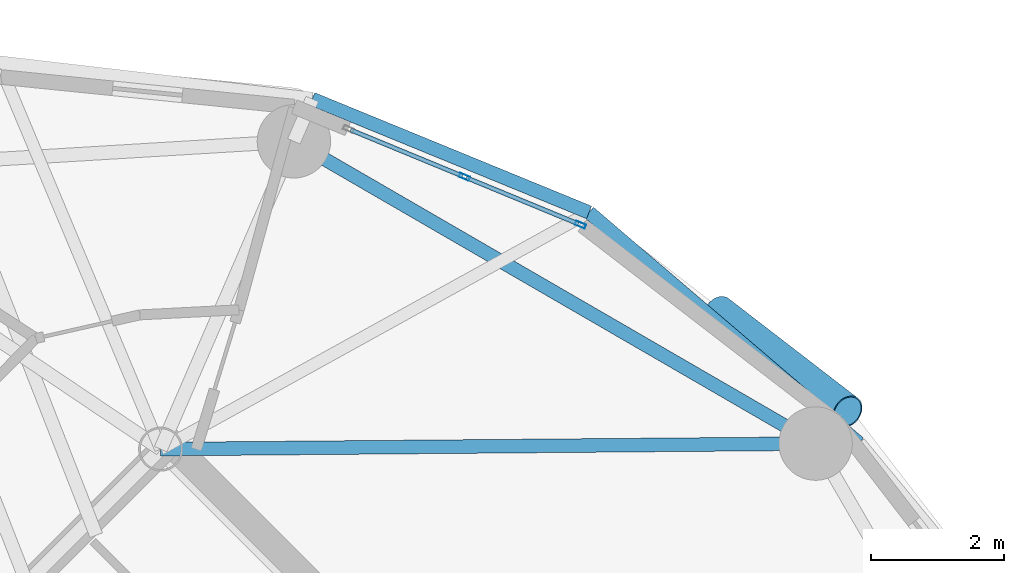
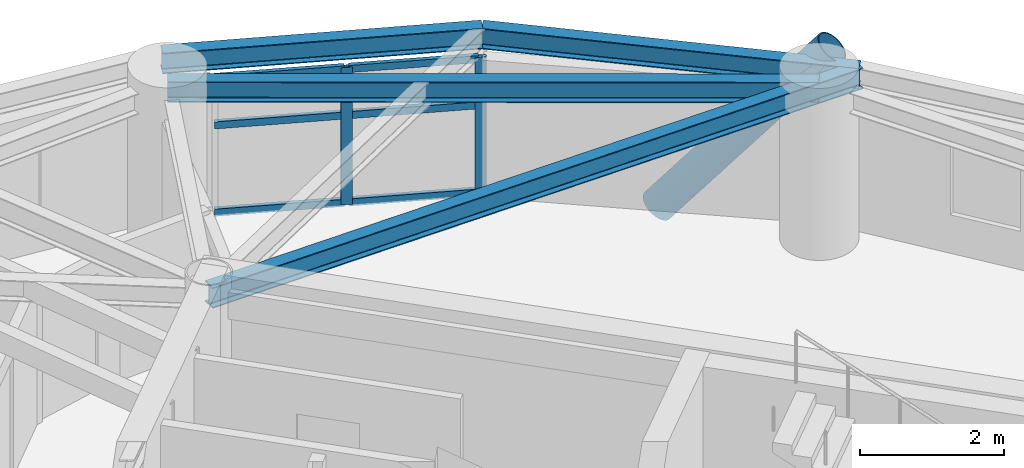
# One storey, part 6 of 16: 9 members, 4 beams, 1 element without a shape of its own.
"""IFC4 building model written with IfcOpenShell, lengths in metres."""

from ifc_helpers import new_model, si_unit, direction, frame, origin, origin_2d, place, context, subcontext, project, spatial, hollow_rectangle, hollow_circle, i_section, extrude, material, layer, layer_set, material_profile, profile_set, type_object, element, aggregate, save


model = new_model("IFC4")

# Units and contexts
model_context = context("Model", 3, precision=1e-05, world=origin(), true_north=direction((0.0, 1.0)))
body_context = subcontext(model_context, "Body", "Model", "MODEL_VIEW")
ifc_project = project(units=[si_unit("LENGTHUNIT", "METRE"), si_unit("AREAUNIT", "SQUARE_METRE"), si_unit("VOLUMEUNIT", "CUBIC_METRE"), si_unit("PLANEANGLEUNIT", "RADIAN"), si_unit("MASSUNIT", "GRAM", prefix="KILO")], contexts=[model_context])

# Site, building, storey
site_placement = place(None, origin())
site = spatial("IfcSite", under=ifc_project, at=site_placement, CompositionType="ELEMENT")
building_placement = place(site_placement, origin())
building = spatial("IfcBuilding", under=site, at=building_placement, Name="Cununo Teusaquillo Station Towers", CompositionType="ELEMENT")
storey_placement = place(building_placement, frame((0.0, 0.0, 211.2099609375)))
storey = spatial("IfcBuildingStorey", under=building, at=storey_placement, Name="L67", CompositionType="ELEMENT", Elevation=211.2099609375)

# Beams
ifc_material_1 = material(Name="Steel ASTM A572 Grade 50", Category="steel")
ifc_material_profile_1 = material_profile(ifc_material_1, i_section(OverallWidth=0.2041015625, OverallDepth=0.35009765625, WebThickness=0.008544921875, FlangeThickness=0.01513671875, FilletRadius=0.011962890625, at=origin_2d()), Name="W14X48")
ifc_profile_set_1 = profile_set([ifc_material_profile_1], Name="Steel ASTM A572 Grade 50")
beam_type_1 = type_object("IfcBeamType", Name="BM-RAD-G3", PredefinedType="BEAM", material=ifc_profile_set_1)
beam_1_placement = place(storey_placement, frame((56.29443359375, 33.024169921875, 2.525146484375), z_axis=(0.999964325253, 0.008446787673, 0.0), x_axis=(-0.008446787673, 0.999964325253, 0.0)))
element("IfcBeam", 1, at=beam_1_placement, inside=storey, type_object=beam_type_1, Name="L67 Tower B Continuous Overhanging Radial Girder 01", PredefinedType="BEAM", context=body_context, shape_type="SweptSolid", body=[
    extrude(i_section(OverallWidth=0.2041015625, OverallDepth=0.35009765625, WebThickness=0.008544921875, FlangeThickness=0.01513671875, FilletRadius=0.011962890625, at=origin_2d()), origin(), (0.0, 0.0, 1.0), 10.463134765625),
])
ifc_material_2 = material(Name="Steel ASTM A572 Grade 50", Category="steel")
ifc_material_profile_2 = material_profile(ifc_material_2, i_section(OverallWidth=0.2041015625, OverallDepth=0.35009765625, WebThickness=0.008544921875, FlangeThickness=0.01513671875, FilletRadius=0.011962890625, at=origin_2d()), Name="W14X48")
ifc_profile_set_2 = profile_set([ifc_material_profile_2], Name="Steel ASTM A572 Grade 50")
beam_type_2 = type_object("IfcBeamType", Name="BM-RING-Z4", PredefinedType="SPANDREL", material=ifc_profile_set_2)
beam_2_placement = place(storey_placement, frame((66.10693359375, 33.10693359375, 2.525146484375), z_axis=(-0.865267103202, 0.501311121078, 0.0), x_axis=(-0.501311121078, -0.865267103202, 0.0)))
element("IfcBeam", 2, at=beam_2_placement, inside=storey, type_object=beam_type_2, Name="L67 Tower B Structural Column Ring Girder 01", PredefinedType="SPANDREL", context=body_context, shape_type="SweptSolid", body=[
    extrude(i_section(OverallWidth=0.2041015625, OverallDepth=0.35009765625, WebThickness=0.008544921875, FlangeThickness=0.01513671875, FilletRadius=0.011962890625, at=origin_2d()), origin(), (0.0, 0.0, 1.0), 9.032958984375),
])
beam_3_placement = place(storey_placement, frame((66.757080078125, 33.112548828125, 2.525146484375), z_axis=(-0.760065778291, 0.649846145385, 0.0), x_axis=(-0.649846145385, -0.760065778291, 0.0)))
element("IfcBeam", 3, at=beam_3_placement, inside=storey, type_object=beam_type_2, Name="L67 Tower B Spandrel Ring Beam 01", PredefinedType="SPANDREL", context=body_context, shape_type="SweptSolid", body=[
    extrude(i_section(OverallWidth=0.2041015625, OverallDepth=0.35009765625, WebThickness=0.008544921875, FlangeThickness=0.01513671875, FilletRadius=0.011962890625, at=origin_2d()), origin(), (0.0, 0.0, 1.0), 5.320556640625),
])
beam_4_placement = place(storey_placement, frame((62.713134765625, 36.570068359375, 2.525146484375), z_axis=(-0.925283830437, 0.379275405388, 0.0), x_axis=(-0.379275405388, -0.925283830437, 0.0)))
element("IfcBeam", 4, at=beam_4_placement, inside=storey, type_object=beam_type_2, Name="L67 Tower B Spandrel Ring Beam 02", PredefinedType="SPANDREL", context=body_context, shape_type="SweptSolid", body=[
    extrude(i_section(OverallWidth=0.2041015625, OverallDepth=0.35009765625, WebThickness=0.008544921875, FlangeThickness=0.01513671875, FilletRadius=0.011962890625, at=origin_2d()), origin(), (0.0, 0.0, 1.0), 4.482177734375),
])

# Curtain wall, members
ifc_material_3 = material(Name="Ceramic-fritted dark low-E double glazing", Category="glass")
ifc_layer = layer(ifc_material_3, 0.179931640625)
ifc_layer_set = layer_set([ifc_layer], Name="Ceramic-fritted dark low-E double glazing")
curtain_wall_type = type_object("IfcCurtainWallType", Name="CW-SYS-07", PredefinedType="USERDEFINED", material=ifc_layer_set)
curtain_wall_placement = place(storey_placement, origin())
curtain_wall = element("IfcCurtainWall", 5, at=curtain_wall_placement, inside=storey, type_object=curtain_wall_type, Name="L67 Tower B Facade Curtain Wall C01", ObjectType="FRITTED GLAZING", PredefinedType="USERDEFINED")
ifc_material_4 = material(Name="Anodised dark bronze aluminium EN AW-6063-T6", Category="aluminium")
ifc_material_profile_3 = material_profile(ifc_material_4, hollow_rectangle(XDim=0.06494140625, YDim=0.159912109375, WallThickness=0.00390625, at=origin_2d()), Name="CW-MULL-65x160")
ifc_profile_set_3 = profile_set([ifc_material_profile_3], Name="Anodised dark bronze aluminium EN AW-6063-T6")
member_type_1 = type_object("IfcMemberType", Name="CWM-160", PredefinedType="MULLION", material=ifc_profile_set_3)
member_1_placement = place(storey_placement, frame((60.84716796875, 37.102294921875, 0.0), z_axis=(0.0, 0.0, 1.0), x_axis=(0.381310513086, 0.924447019904, 0.0)))
member_1 = element("IfcMember", 6, at=member_1_placement, type_object=member_type_1, Name="CW-07 mullion 2", PredefinedType="MULLION", context=body_context, shape_type="SweptSolid", body=[
    extrude(hollow_rectangle(XDim=0.06494140625, YDim=0.159912109375, WallThickness=0.00390625, at=origin_2d()), origin(), (0.0, 0.0, 1.0), 2.322021484375),
])
member_2_placement = place(storey_placement, frame((62.583251953125, 36.38623046875, 0.0), z_axis=(0.0, 0.0, 1.0), x_axis=(0.381310513086, 0.924447019904, 0.0)))
member_2 = element("IfcMember", 7, at=member_2_placement, type_object=member_type_1, Name="CW-07 mullion 3", PredefinedType="MULLION", context=body_context, shape_type="SweptSolid", body=[
    extrude(hollow_rectangle(XDim=0.06494140625, YDim=0.159912109375, WallThickness=0.00390625, at=origin_2d()), origin(), (0.0, 0.0, 1.0), 2.322021484375),
])
ifc_material_5 = material(Name="Anodised dark bronze aluminium EN AW-6063-T6", Category="aluminium")
ifc_material_profile_4 = material_profile(ifc_material_5, hollow_rectangle(XDim=0.06494140625, YDim=0.1201171875, WallThickness=0.00390625, at=origin_2d()), Name="CW-TRAN-65x120")
ifc_profile_set_4 = profile_set([ifc_material_profile_4], Name="Anodised dark bronze aluminium EN AW-6063-T6")
member_type_2 = type_object("IfcMemberType", Name="CWT-120", PredefinedType="USERDEFINED", material=ifc_profile_set_4)
member_3_placement = place(storey_placement, frame((59.141357421875, 37.805908203125, 0.032470703125), z_axis=(0.924457591038, -0.381284883483, 0.0), x_axis=(0.381284883483, 0.924457591038, 0.0)))
member_3 = element("IfcMember", 8, at=member_3_placement, type_object=member_type_2, Name="CW-07 transom 1.1", ObjectType="TRANSOM", PredefinedType="USERDEFINED", context=body_context, shape_type="SweptSolid", body=[
    extrude(hollow_rectangle(XDim=0.06494140625, YDim=0.1201171875, WallThickness=0.00390625, at=origin_2d()), origin(), (0.0, 0.0, 1.0), 1.812744140625),
])
member_4_placement = place(storey_placement, frame((59.141357421875, 37.805908203125, 1.509033203125), z_axis=(0.924457591038, -0.381284883483, 0.0), x_axis=(0.381284883483, 0.924457591038, 0.0)))
member_4 = element("IfcMember", 9, at=member_4_placement, type_object=member_type_2, Name="CW-07 transom 1.2", ObjectType="TRANSOM", PredefinedType="USERDEFINED", context=body_context, shape_type="SweptSolid", body=[
    extrude(hollow_rectangle(XDim=0.06494140625, YDim=0.1201171875, WallThickness=0.00390625, at=origin_2d()), origin(), (0.0, 0.0, 1.0), 1.812744140625),
])
member_5_placement = place(storey_placement, frame((59.141357421875, 37.805908203125, 2.28955078125), z_axis=(0.924457591038, -0.381284883483, 0.0), x_axis=(0.381284883483, 0.924457591038, 0.0)))
member_5 = element("IfcMember", 10, at=member_5_placement, type_object=member_type_2, Name="CW-07 transom 1.3", ObjectType="TRANSOM", PredefinedType="USERDEFINED", context=body_context, shape_type="SweptSolid", body=[
    extrude(hollow_rectangle(XDim=0.06494140625, YDim=0.1201171875, WallThickness=0.00390625, at=origin_2d()), origin(), (0.0, 0.0, 1.0), 1.812744140625),
])
member_6_placement = place(storey_placement, frame((60.877197265625, 37.08984375, 0.032470703125), z_axis=(0.92447716721, -0.381237415932, 0.0), x_axis=(0.381237415932, 0.92447716721, 0.0)))
member_6 = element("IfcMember", 11, at=member_6_placement, type_object=member_type_2, Name="CW-07 transom 2.1", ObjectType="TRANSOM", PredefinedType="USERDEFINED", context=body_context, shape_type="SweptSolid", body=[
    extrude(hollow_rectangle(XDim=0.06494140625, YDim=0.1201171875, WallThickness=0.00390625, at=origin_2d()), origin(), (0.0, 0.0, 1.0), 1.81298828125),
])
member_7_placement = place(storey_placement, frame((60.877197265625, 37.08984375, 1.509033203125), z_axis=(0.92447716721, -0.381237415932, 0.0), x_axis=(0.381237415932, 0.92447716721, 0.0)))
member_7 = element("IfcMember", 12, at=member_7_placement, type_object=member_type_2, Name="CW-07 transom 2.2", ObjectType="TRANSOM", PredefinedType="USERDEFINED", context=body_context, shape_type="SweptSolid", body=[
    extrude(hollow_rectangle(XDim=0.06494140625, YDim=0.1201171875, WallThickness=0.00390625, at=origin_2d()), origin(), (0.0, 0.0, 1.0), 1.81298828125),
])
member_8_placement = place(storey_placement, frame((60.877197265625, 37.08984375, 2.28955078125), z_axis=(0.92447716721, -0.381237415932, 0.0), x_axis=(0.381237415932, 0.92447716721, 0.0)))
member_8 = element("IfcMember", 13, at=member_8_placement, type_object=member_type_2, Name="CW-07 transom 2.3", ObjectType="TRANSOM", PredefinedType="USERDEFINED", context=body_context, shape_type="SweptSolid", body=[
    extrude(hollow_rectangle(XDim=0.06494140625, YDim=0.1201171875, WallThickness=0.00390625, at=origin_2d()), origin(), (0.0, 0.0, 1.0), 1.81298828125),
])
aggregate(curtain_wall, [member_1, member_2, member_3, member_4, member_5, member_6, member_7, member_8])

# Member
ifc_material_6 = material(Name="Steel EN 10025-2 S355J2", Category="steel")
ifc_material_profile_5 = material_profile(ifc_material_6, hollow_circle(Radius=0.25390625, WallThickness=0.01806640625, at=origin_2d()), Name="CHS 508x18")
ifc_profile_set_5 = profile_set([ifc_material_profile_5], Name="Steel EN 10025-2 S355J2")
member_type_3 = type_object("IfcMemberType", Name="MBR-DIAG-Z4", PredefinedType="BRACE", material=ifc_profile_set_5)
member_9_placement = place(storey_placement, frame((64.649658203125, 35.078125, -0.139892578125), z_axis=(0.509547803244, -0.392567653256, 0.765670734602), x_axis=(0.610304239587, 0.792167113141, 0.0)))
element("IfcMember", 14, at=member_9_placement, inside=storey, type_object=member_type_3, Name="L67 Tower B Folded-Zigzag Diagrid Tube C00", PredefinedType="BRACE", context=body_context, shape_type="SweptSolid", body=[
    extrude(hollow_circle(Radius=0.25390625, WallThickness=0.01806640625, at=origin_2d()), origin(), (0.0, 0.0, 1.0), 3.800537109375),
])

save(model, "model.ifc")
